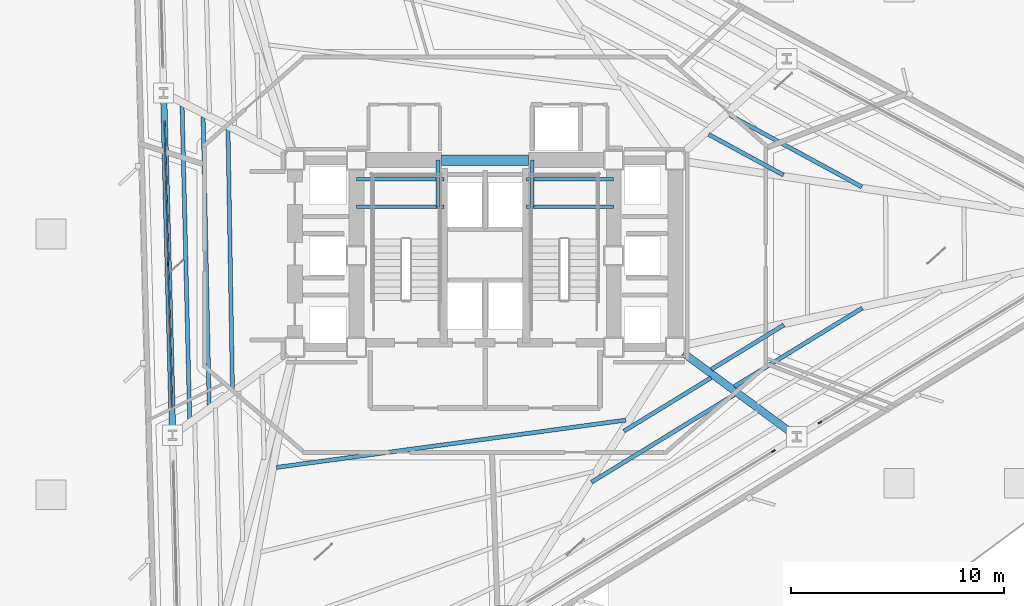
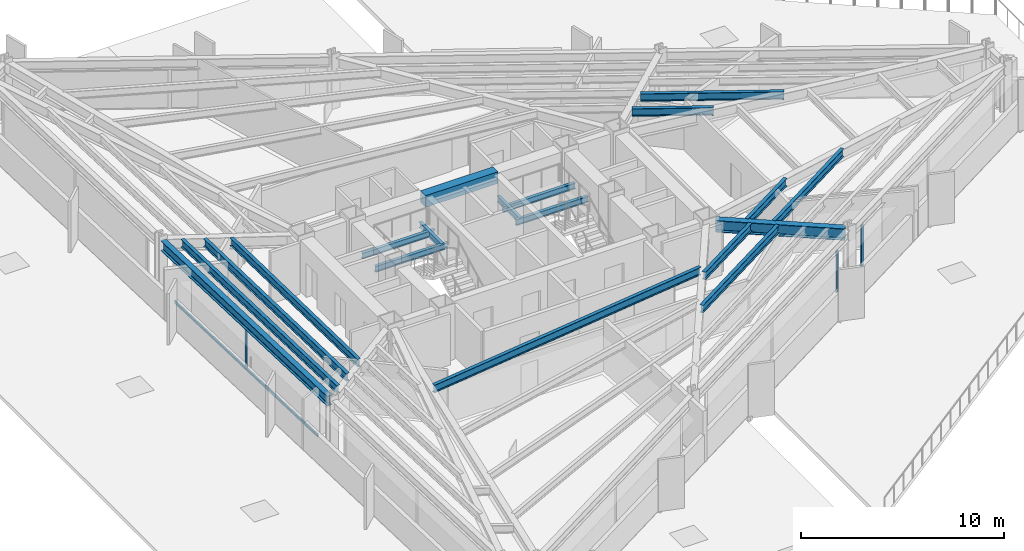
# One storey, part 3 of 13: 19 beams, 7 members, 3 elements without a shape of their own.
"""IFC4 building model written with IfcOpenShell, lengths in metres."""

from ifc_helpers import new_model, si_unit, direction, frame, origin, origin_2d, place, context, subcontext, project, spatial, rectangle, i_section, extrude, material, layer, layer_set, material_profile, profile_set, type_object, element, aggregate, save


model = new_model("IFC4")

# Units and contexts
model_context = context("Model", 3, precision=1e-05, world=origin(), true_north=direction((0.0, 1.0)))
body_context = subcontext(model_context, "Body", "Model", "MODEL_VIEW")
ifc_project = project(units=[si_unit("LENGTHUNIT", "METRE"), si_unit("AREAUNIT", "SQUARE_METRE"), si_unit("VOLUMEUNIT", "CUBIC_METRE"), si_unit("PLANEANGLEUNIT", "RADIAN"), si_unit("MASSUNIT", "GRAM", prefix="KILO")], contexts=[model_context])

# Site, building, storey
site_placement = place(None, origin())
site = spatial("IfcSite", under=ifc_project, at=site_placement, CompositionType="ELEMENT")
building_placement = place(site_placement, origin())
building = spatial("IfcBuilding", under=site, at=building_placement, Name="Rocaltana Carrier Exchange", CompositionType="ELEMENT")
storey_placement = place(building_placement, frame((0.0, 0.0, 18.8798828125)))
storey = spatial("IfcBuildingStorey", under=building, at=storey_placement, Name="L06", CompositionType="ELEMENT", Elevation=18.8798828125)

# Curtain wall, member
ifc_material_1 = material(Name="Aluminium 6063-T6", Category="aluminium")
ifc_layer = layer(ifc_material_1, 0.179931640625)
ifc_layer_set = layer_set([ifc_layer], Name="Aluminium 6063-T6")
curtain_wall_type = type_object("IfcCurtainWallType", Name="Sandstone Spandrel Unitised Curtain Wall CW-01", PredefinedType="NOTDEFINED", material=ifc_layer_set)
curtain_wall_1_placement = place(storey_placement, origin())
curtain_wall_1 = element("IfcCurtainWall", 1, at=curtain_wall_1_placement, inside=storey, type_object=curtain_wall_type, Name="L06 CW-01 Run CW-L06-F2S2", PredefinedType="NOTDEFINED")
ifc_material_2 = material(Name="Aluminium 6063-T6", Category="aluminium")
ifc_material_profile_1 = material_profile(ifc_material_2, rectangle(XDim=0.06494140625, YDim=0.179931640625, at=origin_2d()), Name="AL-65X180")
ifc_profile_set_1 = profile_set([ifc_material_profile_1], Name="Aluminium 6063-T6")
member_type_1 = type_object("IfcMemberType", Name="CW-01 Mullion AL-65X180", PredefinedType="MULLION", material=ifc_profile_set_1)
member_1_placement = place(storey_placement, frame((-14.91064453125, -0.390380859375, 0.0), z_axis=(0.0, 0.0, 1.0), x_axis=(0.99965733548, 0.026176547142, 0.0)))
member_1 = element("IfcMember", 2, at=member_1_placement, type_object=member_type_1, Name="CW-01 mullion 2", PredefinedType="MULLION", context=body_context, shape_type="SweptSolid", body=[
    extrude(rectangle(XDim=0.06494140625, YDim=0.179931640625, at=origin_2d()), origin(), (0.0, 0.0, 1.0), 2.47802734375),
])

curtain_wall_2_placement = place(storey_placement, origin())
curtain_wall_2 = element("IfcCurtainWall", 3, at=curtain_wall_2_placement, inside=storey, type_object=curtain_wall_type, Name="L06 CW-01 Run CW-L06-F3S2", PredefinedType="NOTDEFINED")
member_2_placement = place(storey_placement, frame((13.563720703125, -9.181884765625, 0.0), z_axis=(0.0, 0.0, 1.0), x_axis=(-0.522499812415, 0.852639399762, 0.0)))
member_2 = element("IfcMember", 4, at=member_2_placement, type_object=member_type_1, Name="CW-01 mullion 3", PredefinedType="MULLION", context=body_context, shape_type="SweptSolid", body=[
    extrude(rectangle(XDim=0.06494140625, YDim=0.179931640625, at=origin_2d()), origin(), (0.0, 0.0, 1.0), 2.47802734375),
])
aggregate(curtain_wall_2, [member_2])

curtain_wall_3_placement = place(storey_placement, origin())
curtain_wall_3 = element("IfcCurtainWall", 5, at=curtain_wall_3_placement, inside=storey, type_object=curtain_wall_type, Name="L06 CW-01 Run CW-L06-F3S3", PredefinedType="NOTDEFINED")
member_3_placement = place(storey_placement, frame((15.750732421875, -7.841552734375, 0.0), z_axis=(0.0, 0.0, 1.0), x_axis=(-0.522499812415, 0.852639399762, 0.0)))
member_3 = element("IfcMember", 6, at=member_3_placement, type_object=member_type_1, Name="CW-01 mullion 1", PredefinedType="MULLION", context=body_context, shape_type="SweptSolid", body=[
    extrude(rectangle(XDim=0.06494140625, YDim=0.179931640625, at=origin_2d()), origin(), (0.0, 0.0, 1.0), 2.47802734375),
])
aggregate(curtain_wall_3, [member_3])

# Member
ifc_material_3 = material(Name="Aluminium 6063-T6", Category="aluminium")
ifc_material_profile_2 = material_profile(ifc_material_3, rectangle(XDim=0.06494140625, YDim=0.179931640625, at=origin_2d()), Name="AL-65X180")
ifc_profile_set_2 = profile_set([ifc_material_profile_2], Name="Aluminium 6063-T6")
member_type_2 = type_object("IfcMemberType", Name="CW-01 Transom AL-65X180", PredefinedType="USERDEFINED", material=ifc_profile_set_2)
member_4_placement = place(storey_placement, frame((-15.0869140625, 6.34228515625, 0.03271484375), z_axis=(0.026153417925, -0.999657940863, 0.0), x_axis=(0.999657940863, 0.026153417925, 0.0)))
member_4 = element("IfcMember", 7, at=member_4_placement, type_object=member_type_2, Name="CW-01 transom 1.1", ObjectType="TRANSOM", PredefinedType="USERDEFINED", context=body_context, shape_type="SweptSolid", body=[
    extrude(rectangle(XDim=0.06494140625, YDim=0.179931640625, at=origin_2d()), origin(), (0.0, 0.0, 1.0), 6.702392578125),
])

member_5_placement = place(storey_placement, frame((-15.0869140625, 6.34228515625, 2.445556640625), z_axis=(0.026153417925, -0.999657940863, 0.0), x_axis=(0.999657940863, 0.026153417925, 0.0)))
member_5 = element("IfcMember", 8, at=member_5_placement, type_object=member_type_2, Name="CW-01 transom 1.2", ObjectType="TRANSOM", PredefinedType="USERDEFINED", context=body_context, shape_type="SweptSolid", body=[
    extrude(rectangle(XDim=0.06494140625, YDim=0.179931640625, at=origin_2d()), origin(), (0.0, 0.0, 1.0), 6.702392578125),
])

member_6_placement = place(storey_placement, frame((-14.909912109375, -0.4228515625, 0.03271484375), z_axis=(0.026189818331, -0.999656987879, 0.0), x_axis=(0.999656987879, 0.026189818331, 0.0)))
member_6 = element("IfcMember", 9, at=member_6_placement, type_object=member_type_2, Name="CW-01 transom 2.1", ObjectType="TRANSOM", PredefinedType="USERDEFINED", context=body_context, shape_type="SweptSolid", body=[
    extrude(rectangle(XDim=0.06494140625, YDim=0.179931640625, at=origin_2d()), origin(), (0.0, 0.0, 1.0), 6.702392578125),
])

member_7_placement = place(storey_placement, frame((-14.909912109375, -0.4228515625, 2.445556640625), z_axis=(0.026189818331, -0.999656987879, 0.0), x_axis=(0.999656987879, 0.026189818331, 0.0)))
member_7 = element("IfcMember", 10, at=member_7_placement, type_object=member_type_2, Name="CW-01 transom 2.2", ObjectType="TRANSOM", PredefinedType="USERDEFINED", context=body_context, shape_type="SweptSolid", body=[
    extrude(rectangle(XDim=0.06494140625, YDim=0.179931640625, at=origin_2d()), origin(), (0.0, 0.0, 1.0), 6.702392578125),
])

aggregate(curtain_wall_1, [member_1, member_4, member_5, member_6, member_7])

# Beams
ifc_material_4 = material(Name="Concrete C60/75", Category="concrete")
ifc_material_profile_3 = material_profile(ifc_material_4, rectangle(XDim=0.5, YDim=0.699951171875, at=origin_2d()), Name="RC-BM-500X700")
ifc_profile_set_3 = profile_set([ifc_material_profile_3], Name="Concrete C60/75")
beam_type_1 = type_object("IfcBeamType", Name="Core Coupling Lintel 500x700", PredefinedType="LINTEL", material=ifc_profile_set_3)
beam_1_placement = place(storey_placement, frame((-2.050048828125, 4.5, 2.748046875), z_axis=(1.0, 0.0, 0.0), x_axis=(0.0, 1.0, 0.0)))
element("IfcBeam", 11, at=beam_1_placement, inside=storey, type_object=beam_type_1, Name="L06 Core Coupling Lintel CL-N", PredefinedType="LINTEL", context=body_context, shape_type="SweptSolid", body=[
    extrude(rectangle(XDim=0.5, YDim=0.699951171875, at=origin_2d()), origin(), (0.0, 0.0, 1.0), 4.10009765625),
])
ifc_material_5 = material(Name="Steel S355", Category="steel")
ifc_material_profile_4 = material_profile(ifc_material_5, i_section(OverallWidth=0.172119140625, OverallDepth=0.35791015625, WebThickness=0.0078125, FlangeThickness=0.01318359375, FilletRadius=0.011962890625, at=origin_2d()), Name="W14X38")
ifc_profile_set_4 = profile_set([ifc_material_profile_4], Name="Steel S355")
beam_type_2 = type_object("IfcBeamType", Name="Floor Joist W14X38", PredefinedType="JOIST", material=ifc_profile_set_4)
for number, where, z_axis, x_axis, name in (
    (12, (-6.050048828125, 2.300048828125, 1.301025390625), (1.0, 0.0, 0.0), (0.0, 1.0, 0.0), "L06 ST-1 Landing Carrier 1"),
    (13, (1.93994140625, 2.300048828125, 1.301025390625), (1.0, 0.0, 0.0), (0.0, 1.0, 0.0), "L06 ST-2 Landing Carrier 1"),
    (14, (-6.050048828125, 3.60009765625, 1.301025390625), (1.0, 0.0, 0.0), (0.0, 1.0, 0.0), "L06 ST-1 Landing Carrier 2"),
    (15, (1.93994140625, 3.60009765625, 1.301025390625), (1.0, 0.0, 0.0), (0.0, 1.0, 0.0), "L06 ST-2 Landing Carrier 2"),
):
    element("IfcBeam", number, at=place(storey_placement, frame(where, z_axis=z_axis, x_axis=x_axis)), inside=storey, type_object=beam_type_2, Name=name, PredefinedType="JOIST", context=body_context, shape_type="SweptSolid", body=[
        extrude(i_section(OverallWidth=0.172119140625, OverallDepth=0.35791015625, WebThickness=0.0078125, FlangeThickness=0.01318359375, FilletRadius=0.011962890625, at=origin_2d()), origin(), (0.0, 0.0, 1.0), 4.110107421875),
    ])
for number, where, z_axis, x_axis, name in (
    (16, (-2.219970703125, 2.300048828125, 1.301025390625), (0.0, 1.0, 0.0), (-1.0, 0.0, 0.0), "L06 ST-1 Landing Cross Trimmer"),
    (17, (2.219970703125, 2.300048828125, 1.301025390625), (0.0, 1.0, 0.0), (-1.0, 0.0, 0.0), "L06 ST-2 Landing Cross Trimmer"),
):
    element("IfcBeam", number, at=place(storey_placement, frame(where, z_axis=z_axis, x_axis=x_axis)), inside=storey, type_object=beam_type_2, Name=name, PredefinedType="JOIST", context=body_context, shape_type="SweptSolid", body=[
        extrude(i_section(OverallWidth=0.172119140625, OverallDepth=0.35791015625, WebThickness=0.0078125, FlangeThickness=0.01318359375, FilletRadius=0.011962890625, at=origin_2d()), origin(), (0.0, 0.0, 1.0), 2.199951171875),
    ])
ifc_material_6 = material(Name="Steel S355", Category="steel")
ifc_material_profile_5 = material_profile(ifc_material_6, i_section(OverallWidth=0.193115234375, OverallDepth=0.466064453125, WebThickness=0.011474609375, FlangeThickness=0.01904296875, FilletRadius=0.013916015625, at=origin_2d()), Name="W18X65")
ifc_profile_set_5 = profile_set([ifc_material_profile_5], Name="Steel S355")
beam_type_3 = type_object("IfcBeamType", Name="Floor Joist W18X65", PredefinedType="JOIST", material=ifc_profile_set_5)
beam_2_placement = place(storey_placement, frame((14.03466796875, 3.794921875, 2.865234375), z_axis=(-0.878819095461, 0.477155108381, 0.0), x_axis=(-0.477155108381, -0.878819095461, 0.0)))
element("IfcBeam", 18, at=beam_2_placement, inside=storey, type_object=beam_type_3, Name="FJ-L06-01-1", PredefinedType="JOIST", context=body_context, shape_type="SweptSolid", body=[
    extrude(i_section(OverallWidth=0.193115234375, OverallDepth=0.466064453125, WebThickness=0.011474609375, FlangeThickness=0.01904296875, FilletRadius=0.013916015625, at=origin_2d()), origin(), (0.0, 0.0, 1.0), 4.003662109375),
])
beam_3_placement = place(storey_placement, frame((17.718994140625, 3.240966796875, 2.865234375), z_axis=(-0.878818644884, 0.477155938247, 0.0), x_axis=(-0.477155938247, -0.878818644884, 0.0)))
element("IfcBeam", 19, at=beam_3_placement, inside=storey, type_object=beam_type_3, Name="FJ-L06-01-2", PredefinedType="JOIST", context=body_context, shape_type="SweptSolid", body=[
    extrude(i_section(OverallWidth=0.193115234375, OverallDepth=0.466064453125, WebThickness=0.011474609375, FlangeThickness=0.01904296875, FilletRadius=0.013916015625, at=origin_2d()), origin(), (0.0, 0.0, 1.0), 7.06298828125),
])
beam_4_placement = place(storey_placement, frame((-12.094482421875, 5.9384765625, 2.865234375), z_axis=(0.01715934819, -0.999852767546, 0.0), x_axis=(0.999852767546, 0.01715934819, 0.0)))
element("IfcBeam", 20, at=beam_4_placement, inside=storey, type_object=beam_type_3, Name="FJ-L06-06-2", PredefinedType="JOIST", context=body_context, shape_type="SweptSolid", body=[
    extrude(i_section(OverallWidth=0.193115234375, OverallDepth=0.466064453125, WebThickness=0.011474609375, FlangeThickness=0.01904296875, FilletRadius=0.013916015625, at=origin_2d()), origin(), (0.0, 0.0, 1.0), 12.178955078125),
])
beam_5_placement = place(storey_placement, frame((-13.266357421875, 6.538330078125, 2.865234375), z_axis=(0.021217434782, -0.999774884892, 0.0), x_axis=(0.999774884892, 0.021217434782, 0.0)))
element("IfcBeam", 21, at=beam_5_placement, inside=storey, type_object=beam_type_3, Name="FJ-L06-06-3", PredefinedType="JOIST", context=body_context, shape_type="SweptSolid", body=[
    extrude(i_section(OverallWidth=0.193115234375, OverallDepth=0.466064453125, WebThickness=0.011474609375, FlangeThickness=0.01904296875, FilletRadius=0.013916015625, at=origin_2d()), origin(), (0.0, 0.0, 1.0), 13.56640625),
])
beam_6_placement = place(storey_placement, frame((-14.25341796875, 7.04345703125, 2.865234375), z_axis=(0.024041709719, -0.999710956324, 0.0), x_axis=(0.999710956324, 0.024041709719, 0.0)))
element("IfcBeam", 22, at=beam_6_placement, inside=storey, type_object=beam_type_3, Name="FJ-L06-06-4", PredefinedType="JOIST", context=body_context, shape_type="SweptSolid", body=[
    extrude(i_section(OverallWidth=0.193115234375, OverallDepth=0.466064453125, WebThickness=0.011474609375, FlangeThickness=0.01904296875, FilletRadius=0.013916015625, at=origin_2d()), origin(), (0.0, 0.0, 1.0), 14.734619140625),
])
beam_7_placement = place(storey_placement, frame((-9.819091796875, -9.956787109375, 2.865234375), z_axis=(0.990955694238, 0.13418946329, 0.0), x_axis=(-0.13418946329, 0.990955694238, 0.0)))
element("IfcBeam", 23, at=beam_7_placement, inside=storey, type_object=beam_type_3, Name="FJ-L06-09-1", PredefinedType="JOIST", context=body_context, shape_type="SweptSolid", body=[
    extrude(i_section(OverallWidth=0.193115234375, OverallDepth=0.466064453125, WebThickness=0.011474609375, FlangeThickness=0.01904296875, FilletRadius=0.013916015625, at=origin_2d()), origin(), (0.0, 0.0, 1.0), 16.58349609375),
])
beam_8_placement = place(storey_placement, frame((6.52978515625, -8.25, 2.865234375), z_axis=(0.852639920922, 0.522498961961, 0.0), x_axis=(-0.522498961961, 0.852639920922, 0.0)))
element("IfcBeam", 24, at=beam_8_placement, inside=storey, type_object=beam_type_3, Name="FJ-L06-10-1", PredefinedType="JOIST", context=body_context, shape_type="SweptSolid", body=[
    extrude(i_section(OverallWidth=0.193115234375, OverallDepth=0.466064453125, WebThickness=0.011474609375, FlangeThickness=0.01904296875, FilletRadius=0.013916015625, at=origin_2d()), origin(), (0.0, 0.0, 1.0), 4.80908203125),
])
beam_9_placement = place(storey_placement, frame((5.005859375, -10.648681640625, 2.865234375), z_axis=(0.852633806111, 0.522508940283, 0.0), x_axis=(-0.522508940283, 0.852633806111, 0.0)))
element("IfcBeam", 25, at=beam_9_placement, inside=storey, type_object=beam_type_3, Name="FJ-L06-10-2", PredefinedType="JOIST", context=body_context, shape_type="SweptSolid", body=[
    extrude(i_section(OverallWidth=0.193115234375, OverallDepth=0.466064453125, WebThickness=0.011474609375, FlangeThickness=0.01904296875, FilletRadius=0.013916015625, at=origin_2d()), origin(), (0.0, 0.0, 1.0), 7.867919921875),
])
beam_10_placement = place(storey_placement, frame((10.63720703125, -5.34765625, 2.865234375), z_axis=(0.852634552526, 0.522507722277, 0.0), x_axis=(-0.522507722277, 0.852634552526, 0.0)))
element("IfcBeam", 26, at=beam_10_placement, inside=storey, type_object=beam_type_3, Name="FJ-L06-11-1", PredefinedType="JOIST", context=body_context, shape_type="SweptSolid", body=[
    extrude(i_section(OverallWidth=0.193115234375, OverallDepth=0.466064453125, WebThickness=0.011474609375, FlangeThickness=0.01904296875, FilletRadius=0.013916015625, at=origin_2d()), origin(), (0.0, 0.0, 1.0), 4.00390625),
])
beam_11_placement = place(storey_placement, frame((11.721435546875, -6.147705078125, 2.865234375), z_axis=(0.85265490201, 0.522474514286, 0.0), x_axis=(-0.522474514286, 0.85265490201, 0.0)))
element("IfcBeam", 27, at=beam_11_placement, inside=storey, type_object=beam_type_3, Name="FJ-L06-11-2", PredefinedType="JOIST", context=body_context, shape_type="SweptSolid", body=[
    extrude(i_section(OverallWidth=0.193115234375, OverallDepth=0.466064453125, WebThickness=0.011474609375, FlangeThickness=0.01904296875, FilletRadius=0.013916015625, at=origin_2d()), origin(), (0.0, 0.0, 1.0), 7.06298828125),
])
ifc_material_7 = material(Name="Steel S355", Category="steel")
ifc_material_profile_6 = material_profile(ifc_material_7, i_section(OverallWidth=0.35498046875, OverallDepth=0.695068359375, WebThickness=0.015380859375, FlangeThickness=0.02490234375, FilletRadius=0.01806640625, at=origin_2d()), Name="W27X146")
ifc_profile_set_6 = profile_set([ifc_material_profile_6], Name="Steel S355")
beam_type_4 = type_object("IfcBeamType", Name="Radial Girder W27X146", PredefinedType="BEAM", material=ifc_profile_set_6)
beam_12_placement = place(storey_placement, frame((9.32568359375, -4.577392578125, 2.750732421875), z_axis=(0.804632064785, -0.593773728216, 0.0), x_axis=(0.593773728216, 0.804632064785, 0.0)))
element("IfcBeam", 28, at=beam_12_placement, inside=storey, type_object=beam_type_4, Name="RG-L06-11", PredefinedType="BEAM", context=body_context, shape_type="SweptSolid", body=[
    extrude(i_section(OverallWidth=0.35498046875, OverallDepth=0.695068359375, WebThickness=0.015380859375, FlangeThickness=0.02490234375, FilletRadius=0.01806640625, at=origin_2d()), origin(), (0.0, 0.0, 1.0), 6.41796875),
])
ifc_material_8 = material(Name="Steel S355", Category="steel")
ifc_material_profile_7 = material_profile(ifc_material_8, i_section(OverallWidth=0.300048828125, OverallDepth=0.60009765625, WebThickness=0.015380859375, FlangeThickness=0.030029296875, FilletRadius=0.027099609375, at=origin_2d()), Name="HEB600")
ifc_profile_set_7 = profile_set([ifc_material_profile_7], Name="Steel S355")
beam_type_5 = type_object("IfcBeamType", Name="Spandrel Edge Beam HEB600", PredefinedType="SPANDREL", material=ifc_profile_set_7)
beam_13_placement = place(storey_placement, frame((-15.115966796875, 7.448974609375, 2.798095703125), z_axis=(0.026182238984, -0.99965718642, 0.0), x_axis=(0.99965718642, 0.026182238984, 0.0)))
element("IfcBeam", 29, at=beam_13_placement, inside=storey, type_object=beam_type_5, Name="SP-L06-06", PredefinedType="SPANDREL", context=body_context, shape_type="SweptSolid", body=[
    extrude(i_section(OverallWidth=0.300048828125, OverallDepth=0.60009765625, WebThickness=0.015380859375, FlangeThickness=0.030029296875, FilletRadius=0.027099609375, at=origin_2d()), origin(), (0.0, 0.0, 1.0), 15.68408203125),
])

save(model, "model.ifc")
